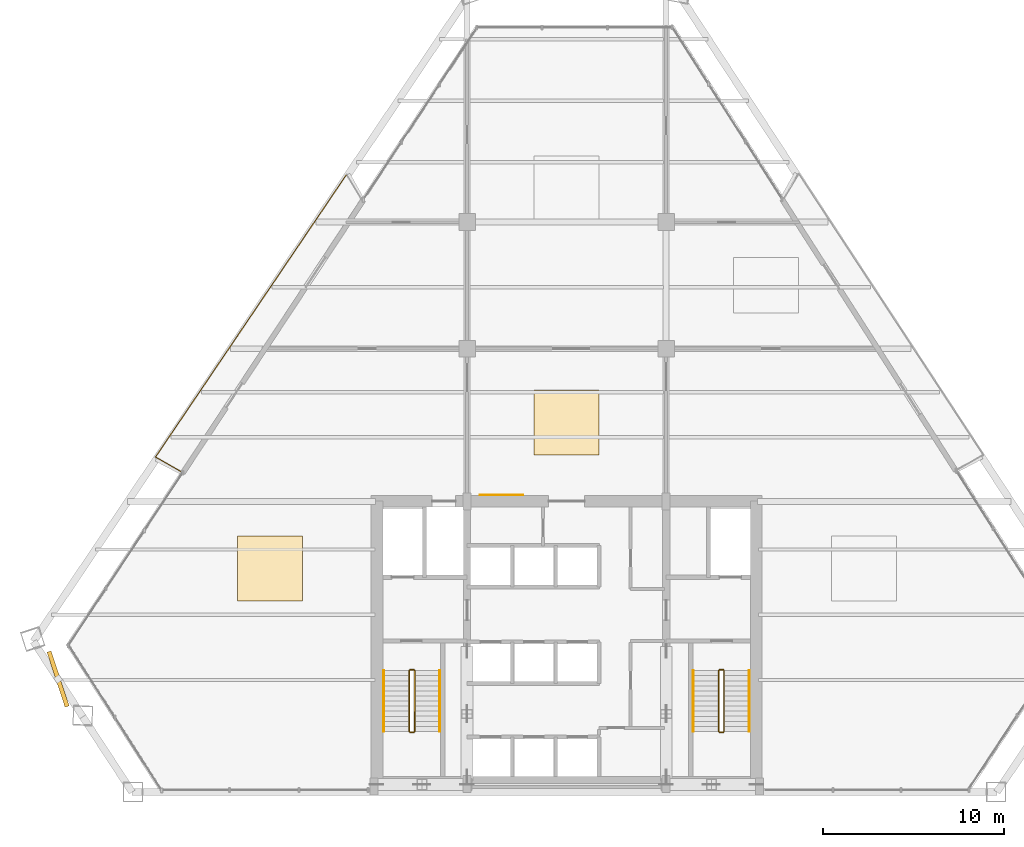
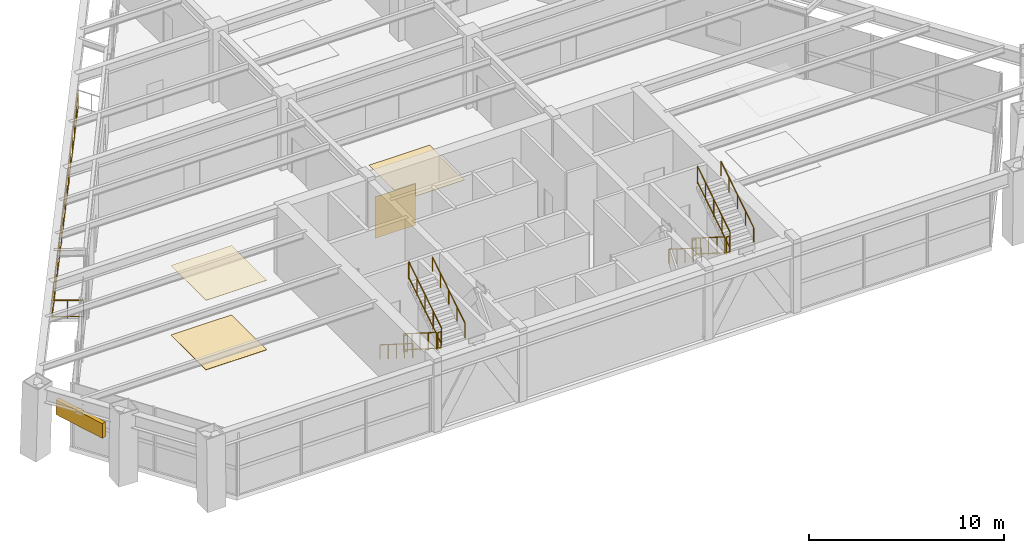
# One storey, part 11 of 12: 14 railings, 4 coverings, 1 shading device.
"""IFC4 building model written with IfcOpenShell, lengths in metres."""

from ifc_helpers import new_model, si_unit, direction, frame, origin, origin_2d, place, context, subcontext, project, spatial, rectangle, extrude, source, transform, mapped, material, layer, layer_set, type_object, type_shapes, element, save


model = new_model("IFC4")

# Units and contexts
model_context = context("Model", 3, precision=1e-05, world=origin(), true_north=direction((0.0, 1.0)))
body_context = subcontext(model_context, "Body", "Model", "MODEL_VIEW")
ifc_project = project(units=[si_unit("LENGTHUNIT", "METRE"), si_unit("AREAUNIT", "SQUARE_METRE"), si_unit("VOLUMEUNIT", "CUBIC_METRE"), si_unit("PLANEANGLEUNIT", "RADIAN"), si_unit("MASSUNIT", "GRAM", prefix="KILO")], contexts=[model_context])

# Site, building, storey
site_placement = place(None, origin())
site = spatial("IfcSite", under=ifc_project, at=site_placement, CompositionType="ELEMENT")
building_placement = place(site_placement, origin())
building = spatial("IfcBuilding", under=site, at=building_placement, Name="Varnakhor Terracotta Tower", CompositionType="ELEMENT")
storey_placement = place(building_placement, frame((0.0, 0.0, 121.0)))
storey = spatial("IfcBuildingStorey", under=building, at=storey_placement, Name="L30", CompositionType="ELEMENT", Elevation=121.0)

# Railings
ifc_material_1 = material(Name="Stainless Steel & Laminated Glass Guardrail", Category="steel")
railing_type_1 = type_object("IfcRailingType", Name="RLG-LOGGIA-GUARD-1150", PredefinedType="GUARDRAIL", material=ifc_material_1)
railing_1_placement = place(storey_placement, frame((-21.320556640625, 17.71826171875, 0.0)))
element("IfcRailing", 1, at=railing_1_placement, inside=storey, type_object=railing_type_1, Name="L30 W Loggia Glass Guard 1", PredefinedType="GUARDRAIL", context=body_context, shape_type="SweptSolid", body=[
    extrude(rectangle(XDim=0.048095703125, YDim=0.048095703125, at=origin_2d()), frame((0.0, 0.0, 1.1259765625), z_axis=(-0.868177661136, 0.496253512536, 0.0), x_axis=(-0.496253512536, -0.868177661136, 0.0)), (0.0, 0.0, 1.0), 1.606201171875),
    extrude(rectangle(XDim=0.048095703125, YDim=0.048095703125, at=origin_2d()), frame((0.0, 0.0, 0.10009765625), z_axis=(-0.868177661136, 0.496253512536, 0.0), x_axis=(-0.496253512536, -0.868177661136, 0.0)), (0.0, 0.0, 1.0), 1.606201171875),
    extrude(rectangle(XDim=0.0419921875, YDim=0.0419921875, at=origin_2d()), origin(), (0.0, 0.0, 1.0), 1.101806640625),
    extrude(rectangle(XDim=0.0419921875, YDim=0.0419921875, at=origin_2d()), frame((-0.697265625, 0.3984375, 0.0)), (0.0, 0.0, 1.0), 1.101806640625),
    extrude(rectangle(XDim=0.0419921875, YDim=0.0419921875, at=origin_2d()), frame((-1.39453125, 0.797119140625, 0.0)), (0.0, 0.0, 1.0), 1.101806640625),
])
railing_2_placement = place(storey_placement, frame((-22.715087890625, 18.515380859375, 0.0)))
element("IfcRailing", 2, at=railing_2_placement, inside=storey, type_object=railing_type_1, Name="L30 W Loggia Glass Guard 2", PredefinedType="GUARDRAIL", context=body_context, shape_type="SweptSolid", body=[
    extrude(rectangle(XDim=0.048095703125, YDim=0.048095703125, at=origin_2d()), frame((0.0, 0.0, 1.1259765625), z_axis=(0.5601846335, 0.82836777846, 0.0), x_axis=(-0.82836777846, 0.5601846335, 0.0)), (0.0, 0.0, 1.0), 18.839599609375),
    extrude(rectangle(XDim=0.048095703125, YDim=0.048095703125, at=origin_2d()), frame((0.0, 0.0, 0.10009765625), z_axis=(0.5601846335, 0.82836777846, 0.0), x_axis=(-0.82836777846, 0.5601846335, 0.0)), (0.0, 0.0, 1.0), 18.839599609375),
    extrude(rectangle(XDim=0.0419921875, YDim=0.0419921875, at=origin_2d()), origin(), (0.0, 0.0, 1.0), 1.101806640625),
    extrude(rectangle(XDim=0.0419921875, YDim=0.0419921875, at=origin_2d()), frame((0.75390625, 1.11474609375, 0.0)), (0.0, 0.0, 1.0), 1.101806640625),
    extrude(rectangle(XDim=0.0419921875, YDim=0.0419921875, at=origin_2d()), frame((1.507568359375, 2.2294921875, 0.0)), (0.0, 0.0, 1.0), 1.101806640625),
    extrude(rectangle(XDim=0.0419921875, YDim=0.0419921875, at=origin_2d()), frame((2.261474609375, 3.34423828125, 0.0)), (0.0, 0.0, 1.0), 1.101806640625),
    extrude(rectangle(XDim=0.0419921875, YDim=0.0419921875, at=origin_2d()), frame((3.015380859375, 4.458984375, 0.0)), (0.0, 0.0, 1.0), 1.101806640625),
    extrude(rectangle(XDim=0.0419921875, YDim=0.0419921875, at=origin_2d()), frame((3.769287109375, 5.57373046875, 0.0)), (0.0, 0.0, 1.0), 1.101806640625),
    extrude(rectangle(XDim=0.0419921875, YDim=0.0419921875, at=origin_2d()), frame((4.52294921875, 6.6884765625, 0.0)), (0.0, 0.0, 1.0), 1.101806640625),
    extrude(rectangle(XDim=0.0419921875, YDim=0.0419921875, at=origin_2d()), frame((5.27685546875, 7.80322265625, 0.0)), (0.0, 0.0, 1.0), 1.101806640625),
    extrude(rectangle(XDim=0.0419921875, YDim=0.0419921875, at=origin_2d()), frame((6.03076171875, 8.917724609375, 0.0)), (0.0, 0.0, 1.0), 1.101806640625),
    extrude(rectangle(XDim=0.0419921875, YDim=0.0419921875, at=origin_2d()), frame((6.784423828125, 10.032470703125, 0.0)), (0.0, 0.0, 1.0), 1.101806640625),
    extrude(rectangle(XDim=0.0419921875, YDim=0.0419921875, at=origin_2d()), frame((7.538330078125, 11.147216796875, 0.0)), (0.0, 0.0, 1.0), 1.101806640625),
    extrude(rectangle(XDim=0.0419921875, YDim=0.0419921875, at=origin_2d()), frame((8.292236328125, 12.261962890625, 0.0)), (0.0, 0.0, 1.0), 1.101806640625),
    extrude(rectangle(XDim=0.0419921875, YDim=0.0419921875, at=origin_2d()), frame((9.046142578125, 13.376708984375, 0.0)), (0.0, 0.0, 1.0), 1.101806640625),
    extrude(rectangle(XDim=0.0419921875, YDim=0.0419921875, at=origin_2d()), frame((9.7998046875, 14.491455078125, 0.0)), (0.0, 0.0, 1.0), 1.101806640625),
    extrude(rectangle(XDim=0.0419921875, YDim=0.0419921875, at=origin_2d()), frame((10.5537109375, 15.606201171875, 0.0)), (0.0, 0.0, 1.0), 1.101806640625),
])
ifc_material_2 = material(Name="Painted Steel Stairwell Guardrail", Category="steel")
railing_type_2 = type_object("IfcRailingType", Name="RLG-STAIR-GUARD-1120", PredefinedType="GUARDRAIL", material=ifc_material_2)
railing_3_placement = place(storey_placement, frame((-8.699951171875, 6.7099609375, 0.177001953125)))
element("IfcRailing", 3, at=railing_3_placement, inside=storey, type_object=railing_type_2, Name="L30 ST-1 stair guard 1", PredefinedType="GUARDRAIL", context=body_context, shape_type="SweptSolid", body=[
    extrude(rectangle(XDim=0.048095703125, YDim=0.048095703125, at=origin_2d()), frame((0.0, 0.0, 1.09619140625), z_axis=(0.0, -0.845372108799, 0.534177870812), x_axis=(1.0, 0.0, 0.0)), (0.0, 0.0, 1.0), 3.974365234375),
    extrude(rectangle(XDim=0.048095703125, YDim=0.048095703125, at=origin_2d()), frame((0.0, 0.0, 0.10009765625), z_axis=(0.0, -0.845372108799, 0.534177870812), x_axis=(1.0, 0.0, 0.0)), (0.0, 0.0, 1.0), 3.974365234375),
    extrude(rectangle(XDim=0.0419921875, YDim=0.0419921875, at=origin_2d()), origin(), (0.0, 0.0, 1.0), 1.072021484375),
    extrude(rectangle(XDim=0.0419921875, YDim=0.0419921875, at=origin_2d()), frame((0.0, -0.83984375, 0.53076171875)), (0.0, 0.0, 1.0), 1.072021484375),
    extrude(rectangle(XDim=0.0419921875, YDim=0.0419921875, at=origin_2d()), frame((0.0, -1.679931640625, 1.0615234375)), (0.0, 0.0, 1.0), 1.072021484375),
    extrude(rectangle(XDim=0.0419921875, YDim=0.0419921875, at=origin_2d()), frame((0.0, -2.52001953125, 1.59228515625)), (0.0, 0.0, 1.0), 1.072021484375),
    extrude(rectangle(XDim=0.0419921875, YDim=0.0419921875, at=origin_2d()), frame((0.0, -3.35986328125, 2.123046875)), (0.0, 0.0, 1.0), 1.072021484375),
])
railing_4_placement = place(storey_placement, frame((-8.64990234375, 3.300048828125, 2.300048828125)))
element("IfcRailing", 4, at=railing_4_placement, inside=storey, type_object=railing_type_2, Name="L30 ST-1 stair guard 2", PredefinedType="GUARDRAIL", context=body_context, shape_type="SweptSolid", body=[
    extrude(rectangle(XDim=0.048095703125, YDim=0.048095703125, at=origin_2d()), frame((0.0, 0.0, 1.09619140625), z_axis=(1.0, 0.0, 0.0), x_axis=(0.0, 1.0, 0.0)), (0.0, 0.0, 1.0), 0.199951171875),
    extrude(rectangle(XDim=0.048095703125, YDim=0.048095703125, at=origin_2d()), frame((0.0, 0.0, 0.10009765625), z_axis=(1.0, 0.0, 0.0), x_axis=(0.0, 1.0, 0.0)), (0.0, 0.0, 1.0), 0.199951171875),
    extrude(rectangle(XDim=0.0419921875, YDim=0.0419921875, at=origin_2d()), origin(), (0.0, 0.0, 1.0), 1.072021484375),
    extrude(rectangle(XDim=0.0419921875, YDim=0.0419921875, at=origin_2d()), frame((0.199951171875, 0.0, 0.0)), (0.0, 0.0, 1.0), 1.072021484375),
])
railing_5_placement = place(storey_placement, frame((-8.39990234375, 3.35009765625, 2.476806640625)))
element("IfcRailing", 5, at=railing_5_placement, inside=storey, type_object=railing_type_2, Name="L30 ST-1 stair guard 3", PredefinedType="GUARDRAIL", context=body_context, shape_type="SweptSolid", body=[
    extrude(rectangle(XDim=0.048095703125, YDim=0.048095703125, at=origin_2d()), frame((0.0, 0.0, 1.09619140625), z_axis=(0.0, 0.845344368971, 0.534221768416), x_axis=(-1.0, 0.0, 0.0)), (0.0, 0.0, 1.0), 3.974609375),
    extrude(rectangle(XDim=0.048095703125, YDim=0.048095703125, at=origin_2d()), frame((0.0, 0.0, 0.10009765625), z_axis=(0.0, 0.845344368971, 0.534221768416), x_axis=(-1.0, 0.0, 0.0)), (0.0, 0.0, 1.0), 3.974609375),
    extrude(rectangle(XDim=0.0419921875, YDim=0.0419921875, at=origin_2d()), origin(), (0.0, 0.0, 1.0), 1.072021484375),
    extrude(rectangle(XDim=0.0419921875, YDim=0.0419921875, at=origin_2d()), frame((0.0, 0.83984375, 0.53076171875)), (0.0, 0.0, 1.0), 1.072021484375),
    extrude(rectangle(XDim=0.0419921875, YDim=0.0419921875, at=origin_2d()), frame((0.0, 1.679931640625, 1.0615234375)), (0.0, 0.0, 1.0), 1.072021484375),
    extrude(rectangle(XDim=0.0419921875, YDim=0.0419921875, at=origin_2d()), frame((0.0, 2.52001953125, 1.592529296875)), (0.0, 0.0, 1.0), 1.072021484375),
    extrude(rectangle(XDim=0.0419921875, YDim=0.0419921875, at=origin_2d()), frame((0.0, 3.35986328125, 2.123291015625)), (0.0, 0.0, 1.0), 1.072021484375),
])
railing_6_placement = place(storey_placement, frame((-8.64990234375, 6.760009765625, 0.0)))
element("IfcRailing", 6, at=railing_6_placement, inside=storey, type_object=railing_type_2, Name="L30 ST-1 stair guard 4", PredefinedType="GUARDRAIL", context=body_context, shape_type="SweptSolid", body=[
    extrude(rectangle(XDim=0.048095703125, YDim=0.048095703125, at=origin_2d()), frame((0.0, 0.0, 1.09619140625), z_axis=(1.0, 0.0, 0.0), x_axis=(0.0, 1.0, 0.0)), (0.0, 0.0, 1.0), 0.199951171875),
    extrude(rectangle(XDim=0.048095703125, YDim=0.048095703125, at=origin_2d()), frame((0.0, 0.0, 0.10009765625), z_axis=(1.0, 0.0, 0.0), x_axis=(0.0, 1.0, 0.0)), (0.0, 0.0, 1.0), 0.199951171875),
    extrude(rectangle(XDim=0.0419921875, YDim=0.0419921875, at=origin_2d()), origin(), (0.0, 0.0, 1.0), 1.072021484375),
    extrude(rectangle(XDim=0.0419921875, YDim=0.0419921875, at=origin_2d()), frame((0.199951171875, 0.0, 0.0)), (0.0, 0.0, 1.0), 1.072021484375),
])
railing_7_placement = place(storey_placement, frame((8.39990234375, 6.7099609375, 0.177001953125)))
element("IfcRailing", 7, at=railing_7_placement, inside=storey, type_object=railing_type_2, Name="L30 ST-2 stair guard 1", PredefinedType="GUARDRAIL", context=body_context, shape_type="SweptSolid", body=[
    extrude(rectangle(XDim=0.048095703125, YDim=0.048095703125, at=origin_2d()), frame((0.0, 0.0, 1.09619140625), z_axis=(0.0, -0.845372108799, 0.534177870812), x_axis=(1.0, 0.0, 0.0)), (0.0, 0.0, 1.0), 3.974365234375),
    extrude(rectangle(XDim=0.048095703125, YDim=0.048095703125, at=origin_2d()), frame((0.0, 0.0, 0.10009765625), z_axis=(0.0, -0.845372108799, 0.534177870812), x_axis=(1.0, 0.0, 0.0)), (0.0, 0.0, 1.0), 3.974365234375),
    extrude(rectangle(XDim=0.0419921875, YDim=0.0419921875, at=origin_2d()), origin(), (0.0, 0.0, 1.0), 1.072021484375),
    extrude(rectangle(XDim=0.0419921875, YDim=0.0419921875, at=origin_2d()), frame((0.0, -0.83984375, 0.53076171875)), (0.0, 0.0, 1.0), 1.072021484375),
    extrude(rectangle(XDim=0.0419921875, YDim=0.0419921875, at=origin_2d()), frame((0.0, -1.679931640625, 1.0615234375)), (0.0, 0.0, 1.0), 1.072021484375),
    extrude(rectangle(XDim=0.0419921875, YDim=0.0419921875, at=origin_2d()), frame((0.0, -2.52001953125, 1.59228515625)), (0.0, 0.0, 1.0), 1.072021484375),
    extrude(rectangle(XDim=0.0419921875, YDim=0.0419921875, at=origin_2d()), frame((0.0, -3.35986328125, 2.123046875)), (0.0, 0.0, 1.0), 1.072021484375),
])
railing_8_placement = place(storey_placement, frame((8.449951171875, 3.300048828125, 2.300048828125)))
element("IfcRailing", 8, at=railing_8_placement, inside=storey, type_object=railing_type_2, Name="L30 ST-2 stair guard 2", PredefinedType="GUARDRAIL", context=body_context, shape_type="SweptSolid", body=[
    extrude(rectangle(XDim=0.048095703125, YDim=0.048095703125, at=origin_2d()), frame((0.0, 0.0, 1.09619140625), z_axis=(1.0, 0.0, 0.0), x_axis=(0.0, 1.0, 0.0)), (0.0, 0.0, 1.0), 0.199951171875),
    extrude(rectangle(XDim=0.048095703125, YDim=0.048095703125, at=origin_2d()), frame((0.0, 0.0, 0.10009765625), z_axis=(1.0, 0.0, 0.0), x_axis=(0.0, 1.0, 0.0)), (0.0, 0.0, 1.0), 0.199951171875),
    extrude(rectangle(XDim=0.0419921875, YDim=0.0419921875, at=origin_2d()), origin(), (0.0, 0.0, 1.0), 1.072021484375),
    extrude(rectangle(XDim=0.0419921875, YDim=0.0419921875, at=origin_2d()), frame((0.199951171875, 0.0, 0.0)), (0.0, 0.0, 1.0), 1.072021484375),
])
railing_9_placement = place(storey_placement, frame((8.699951171875, 3.35009765625, 2.476806640625)))
element("IfcRailing", 9, at=railing_9_placement, inside=storey, type_object=railing_type_2, Name="L30 ST-2 stair guard 3", PredefinedType="GUARDRAIL", context=body_context, shape_type="SweptSolid", body=[
    extrude(rectangle(XDim=0.048095703125, YDim=0.048095703125, at=origin_2d()), frame((0.0, 0.0, 1.09619140625), z_axis=(0.0, 0.845344368971, 0.534221768416), x_axis=(-1.0, 0.0, 0.0)), (0.0, 0.0, 1.0), 3.974609375),
    extrude(rectangle(XDim=0.048095703125, YDim=0.048095703125, at=origin_2d()), frame((0.0, 0.0, 0.10009765625), z_axis=(0.0, 0.845344368971, 0.534221768416), x_axis=(-1.0, 0.0, 0.0)), (0.0, 0.0, 1.0), 3.974609375),
    extrude(rectangle(XDim=0.0419921875, YDim=0.0419921875, at=origin_2d()), origin(), (0.0, 0.0, 1.0), 1.072021484375),
    extrude(rectangle(XDim=0.0419921875, YDim=0.0419921875, at=origin_2d()), frame((0.0, 0.83984375, 0.53076171875)), (0.0, 0.0, 1.0), 1.072021484375),
    extrude(rectangle(XDim=0.0419921875, YDim=0.0419921875, at=origin_2d()), frame((0.0, 1.679931640625, 1.0615234375)), (0.0, 0.0, 1.0), 1.072021484375),
    extrude(rectangle(XDim=0.0419921875, YDim=0.0419921875, at=origin_2d()), frame((0.0, 2.52001953125, 1.592529296875)), (0.0, 0.0, 1.0), 1.072021484375),
    extrude(rectangle(XDim=0.0419921875, YDim=0.0419921875, at=origin_2d()), frame((0.0, 3.35986328125, 2.123291015625)), (0.0, 0.0, 1.0), 1.072021484375),
])
railing_10_placement = place(storey_placement, frame((8.449951171875, 6.760009765625, 0.0)))
element("IfcRailing", 10, at=railing_10_placement, inside=storey, type_object=railing_type_2, Name="L30 ST-2 stair guard 4", PredefinedType="GUARDRAIL", context=body_context, shape_type="SweptSolid", body=[
    extrude(rectangle(XDim=0.048095703125, YDim=0.048095703125, at=origin_2d()), frame((0.0, 0.0, 1.09619140625), z_axis=(1.0, 0.0, 0.0), x_axis=(0.0, 1.0, 0.0)), (0.0, 0.0, 1.0), 0.199951171875),
    extrude(rectangle(XDim=0.048095703125, YDim=0.048095703125, at=origin_2d()), frame((0.0, 0.0, 0.10009765625), z_axis=(1.0, 0.0, 0.0), x_axis=(0.0, 1.0, 0.0)), (0.0, 0.0, 1.0), 0.199951171875),
    extrude(rectangle(XDim=0.0419921875, YDim=0.0419921875, at=origin_2d()), origin(), (0.0, 0.0, 1.0), 1.072021484375),
    extrude(rectangle(XDim=0.0419921875, YDim=0.0419921875, at=origin_2d()), frame((0.199951171875, 0.0, 0.0)), (0.0, 0.0, 1.0), 1.072021484375),
])
ifc_material_3 = material(Name="Brushed Stainless Steel Handrail", Category="steel")
railing_type_3 = type_object("IfcRailingType", Name="RLG-STAIR-HANDRAIL-920", PredefinedType="HANDRAIL", material=ifc_material_3)
railing_11_placement = place(storey_placement, frame((-10.10009765625, 6.7099609375, 0.177001953125)))
element("IfcRailing", 11, at=railing_11_placement, inside=storey, type_object=railing_type_3, Name="L30 ST-1 stair handrail 1", PredefinedType="HANDRAIL", context=body_context, shape_type="SweptSolid", body=[
    extrude(rectangle(XDim=0.048095703125, YDim=0.048095703125, at=origin_2d()), frame((0.0, 0.0, 0.89599609375), z_axis=(0.0, -0.845372108799, 0.534177870812), x_axis=(1.0, 0.0, 0.0)), (0.0, 0.0, 1.0), 3.974365234375),
    extrude(rectangle(XDim=0.0419921875, YDim=0.0419921875, at=origin_2d()), origin(), (0.0, 0.0, 1.0), 0.871826171875),
    extrude(rectangle(XDim=0.0419921875, YDim=0.0419921875, at=origin_2d()), frame((0.0, -0.83984375, 0.53076171875)), (0.0, 0.0, 1.0), 0.871826171875),
    extrude(rectangle(XDim=0.0419921875, YDim=0.0419921875, at=origin_2d()), frame((0.0, -1.679931640625, 1.0615234375)), (0.0, 0.0, 1.0), 0.871826171875),
    extrude(rectangle(XDim=0.0419921875, YDim=0.0419921875, at=origin_2d()), frame((0.0, -2.52001953125, 1.59228515625)), (0.0, 0.0, 1.0), 0.871826171875),
    extrude(rectangle(XDim=0.0419921875, YDim=0.0419921875, at=origin_2d()), frame((0.0, -3.35986328125, 2.123046875)), (0.0, 0.0, 1.0), 0.871826171875),
])
railing_12_placement = place(storey_placement, frame((-7.0, 3.35009765625, 2.476806640625)))
element("IfcRailing", 12, at=railing_12_placement, inside=storey, type_object=railing_type_3, Name="L30 ST-1 stair handrail 2", PredefinedType="HANDRAIL", context=body_context, shape_type="SweptSolid", body=[
    extrude(rectangle(XDim=0.048095703125, YDim=0.048095703125, at=origin_2d()), frame((0.0, 0.0, 0.89599609375), z_axis=(0.0, 0.845344368971, 0.534221768416), x_axis=(-1.0, 0.0, 0.0)), (0.0, 0.0, 1.0), 3.974609375),
    extrude(rectangle(XDim=0.0419921875, YDim=0.0419921875, at=origin_2d()), origin(), (0.0, 0.0, 1.0), 0.871826171875),
    extrude(rectangle(XDim=0.0419921875, YDim=0.0419921875, at=origin_2d()), frame((0.0, 0.83984375, 0.53076171875)), (0.0, 0.0, 1.0), 0.871826171875),
    extrude(rectangle(XDim=0.0419921875, YDim=0.0419921875, at=origin_2d()), frame((0.0, 1.679931640625, 1.0615234375)), (0.0, 0.0, 1.0), 0.871826171875),
    extrude(rectangle(XDim=0.0419921875, YDim=0.0419921875, at=origin_2d()), frame((0.0, 2.52001953125, 1.592529296875)), (0.0, 0.0, 1.0), 0.871826171875),
    extrude(rectangle(XDim=0.0419921875, YDim=0.0419921875, at=origin_2d()), frame((0.0, 3.35986328125, 2.123291015625)), (0.0, 0.0, 1.0), 0.871826171875),
])
railing_13_placement = place(storey_placement, frame((7.0, 6.7099609375, 0.177001953125)))
element("IfcRailing", 13, at=railing_13_placement, inside=storey, type_object=railing_type_3, Name="L30 ST-2 stair handrail 1", PredefinedType="HANDRAIL", context=body_context, shape_type="SweptSolid", body=[
    extrude(rectangle(XDim=0.048095703125, YDim=0.048095703125, at=origin_2d()), frame((0.0, 0.0, 0.89599609375), z_axis=(0.0, -0.845372108799, 0.534177870812), x_axis=(1.0, 0.0, 0.0)), (0.0, 0.0, 1.0), 3.974365234375),
    extrude(rectangle(XDim=0.0419921875, YDim=0.0419921875, at=origin_2d()), origin(), (0.0, 0.0, 1.0), 0.871826171875),
    extrude(rectangle(XDim=0.0419921875, YDim=0.0419921875, at=origin_2d()), frame((0.0, -0.83984375, 0.53076171875)), (0.0, 0.0, 1.0), 0.871826171875),
    extrude(rectangle(XDim=0.0419921875, YDim=0.0419921875, at=origin_2d()), frame((0.0, -1.679931640625, 1.0615234375)), (0.0, 0.0, 1.0), 0.871826171875),
    extrude(rectangle(XDim=0.0419921875, YDim=0.0419921875, at=origin_2d()), frame((0.0, -2.52001953125, 1.59228515625)), (0.0, 0.0, 1.0), 0.871826171875),
    extrude(rectangle(XDim=0.0419921875, YDim=0.0419921875, at=origin_2d()), frame((0.0, -3.35986328125, 2.123046875)), (0.0, 0.0, 1.0), 0.871826171875),
])
railing_14_placement = place(storey_placement, frame((10.10009765625, 3.35009765625, 2.476806640625)))
element("IfcRailing", 14, at=railing_14_placement, inside=storey, type_object=railing_type_3, Name="L30 ST-2 stair handrail 2", PredefinedType="HANDRAIL", context=body_context, shape_type="SweptSolid", body=[
    extrude(rectangle(XDim=0.048095703125, YDim=0.048095703125, at=origin_2d()), frame((0.0, 0.0, 0.89599609375), z_axis=(0.0, 0.845344368971, 0.534221768416), x_axis=(-1.0, 0.0, 0.0)), (0.0, 0.0, 1.0), 3.974609375),
    extrude(rectangle(XDim=0.0419921875, YDim=0.0419921875, at=origin_2d()), origin(), (0.0, 0.0, 1.0), 0.871826171875),
    extrude(rectangle(XDim=0.0419921875, YDim=0.0419921875, at=origin_2d()), frame((0.0, 0.83984375, 0.53076171875)), (0.0, 0.0, 1.0), 0.871826171875),
    extrude(rectangle(XDim=0.0419921875, YDim=0.0419921875, at=origin_2d()), frame((0.0, 1.679931640625, 1.0615234375)), (0.0, 0.0, 1.0), 0.871826171875),
    extrude(rectangle(XDim=0.0419921875, YDim=0.0419921875, at=origin_2d()), frame((0.0, 2.52001953125, 1.592529296875)), (0.0, 0.0, 1.0), 0.871826171875),
    extrude(rectangle(XDim=0.0419921875, YDim=0.0419921875, at=origin_2d()), frame((0.0, 3.35986328125, 2.123291015625)), (0.0, 0.0, 1.0), 0.871826171875),
])

# Shading device
ifc_material_4 = material(Name="Extruded Architectural Terracotta Screen", Category="masonry")
shading_device_type = type_object("IfcShadingDeviceType", Name="TERRACOTTA SOLAR SCREEN W", PredefinedType="USERDEFINED", material=ifc_material_4)
shared_shape_1 = source(origin(), body_context, "Body", "SweptSolid", [
    extrude(rectangle(XDim=3.199951171875, YDim=0.239990234375, at=origin_2d()), origin(), (0.0, 0.0, 1.0), 0.919921875),
])
type_shapes(shading_device_type, [shared_shape_1])
shading_device_placement = place(storey_placement, frame((-28.099609375, 6.24267578125, 2.610107421875), z_axis=(0.0, 0.0, 1.0), x_axis=(0.312716236559, -0.949846595715, 0.0)))
element("IfcShadingDevice", 15, at=shading_device_placement, inside=storey, type_object=shading_device_type, Name="L30 W Terracotta Solar Screen", ObjectType="SCREEN", PredefinedType="USERDEFINED", context=body_context, shape_type="MappedRepresentation", body=[
    mapped(shared_shape_1, transform((0.0, 0.0, 0.0), scale=1.0)),
])

# Coverings
ifc_material_5 = material(Name="Extruded Architectural Terracotta Cladding", Category="masonry")
ifc_layer_1 = layer(ifc_material_5, 0.044921875, Name="Extruded Architectural Terracotta Cladding")
ifc_layer_set_1 = layer_set([ifc_layer_1], Name="Extruded Architectural Terracotta Cladding")
covering_type_1 = type_object("IfcCoveringType", Name="COV-CLAD-TERRACOTTA", PredefinedType="CLADDING", material=ifc_layer_set_1)
shared_shape_2 = source(origin(), body_context, "Body", "SweptSolid", [
    extrude(rectangle(XDim=2.39990234375, YDim=0.030029296875, at=origin_2d()), origin(), (0.0, 0.0, 1.0), 2.60009765625),
])
type_shapes(covering_type_1, [shared_shape_2])
covering_1_placement = place(storey_placement, frame((-3.60009765625, 16.412109375, 0.0), z_axis=(0.0, 0.0, 1.0), x_axis=(1.0, 0.0, 0.0)))
element("IfcCovering", 16, at=covering_1_placement, inside=storey, type_object=covering_type_1, Name="L30 Core Lobby Limestone Cladding", PredefinedType="CLADDING", context=body_context, shape_type="MappedRepresentation", body=[
    mapped(shared_shape_2, transform((0.0, 0.0, 0.0), scale=1.0)),
])
ifc_material_6 = material(Name="Honed Riyadh Limestone Flooring", Category="masonry")
ifc_layer_2 = layer(ifc_material_6, 0.030029296875, Name="Honed Riyadh Limestone Flooring")
ifc_layer_set_2 = layer_set([ifc_layer_2], Name="Honed Riyadh Limestone Flooring")
covering_type_2 = type_object("IfcCoveringType", Name="COV-FLOOR-LIMESTONE", PredefinedType="FLOORING", material=ifc_layer_set_2)
shared_shape_3 = source(origin(), body_context, "Body", "SweptSolid", [
    extrude(rectangle(XDim=3.60009765625, YDim=3.60009765625, at=origin_2d()), origin(), (0.0, 0.0, 1.0), 0.02001953125),
])
for number, where, z_axis, x_axis, name in (
    (17, (-16.39599609375, 12.345947265625, 0.0), (0.0, 0.0, 1.0), (1.0, 0.0, 0.0), "L30 Honed Stone Flooring 1"),
    (18, (0.0, 20.416015625, 0.0), (0.0, 0.0, 1.0), (1.0, 0.0, 0.0), "L30 Honed Stone Flooring 3"),
):
    element("IfcCovering", number, at=place(storey_placement, frame(where, z_axis=z_axis, x_axis=x_axis)), inside=storey, type_object=covering_type_2, Name=name, PredefinedType="FLOORING", context=body_context, shape_type="MappedRepresentation", body=[
        mapped(shared_shape_3, transform((0.0, 0.0, 0.0), scale=1.0)),
    ])
ifc_material_7 = material(Name="Perforated Acoustic Mineral-Fibre Ceiling", Category="gypsum")
ifc_layer_3 = layer(ifc_material_7, 0.02490234375, Name="Perforated Acoustic Mineral-Fibre Ceiling")
ifc_layer_set_3 = layer_set([ifc_layer_3], Name="Perforated Acoustic Mineral-Fibre Ceiling")
covering_type_3 = type_object("IfcCoveringType", Name="COV-CEILING-ACOUSTIC", PredefinedType="CEILING", material=ifc_layer_set_3)
shared_shape_4 = source(origin(), body_context, "Body", "SweptSolid", [
    extrude(rectangle(XDim=3.60009765625, YDim=3.60009765625, at=origin_2d()), origin(), (0.0, 0.0, 1.0), 0.02392578125),
])
covering_2_placement = place(storey_placement, frame((-16.39599609375, 12.345947265625, 4.345947265625), z_axis=(0.0, 0.0, 1.0), x_axis=(1.0, 0.0, 0.0)))
element("IfcCovering", 19, at=covering_2_placement, inside=storey, type_object=covering_type_3, Name="L30 Acoustic Ceiling Panel 1", PredefinedType="CEILING", context=body_context, shape_type="MappedRepresentation", body=[
    mapped(shared_shape_4, transform((0.0, 0.0, 0.0), scale=1.0)),
])

save(model, "model.ifc")
